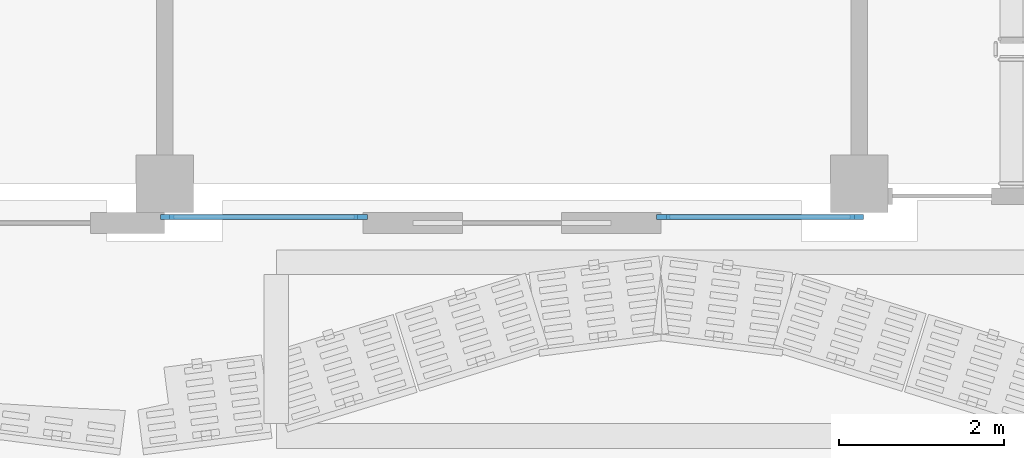
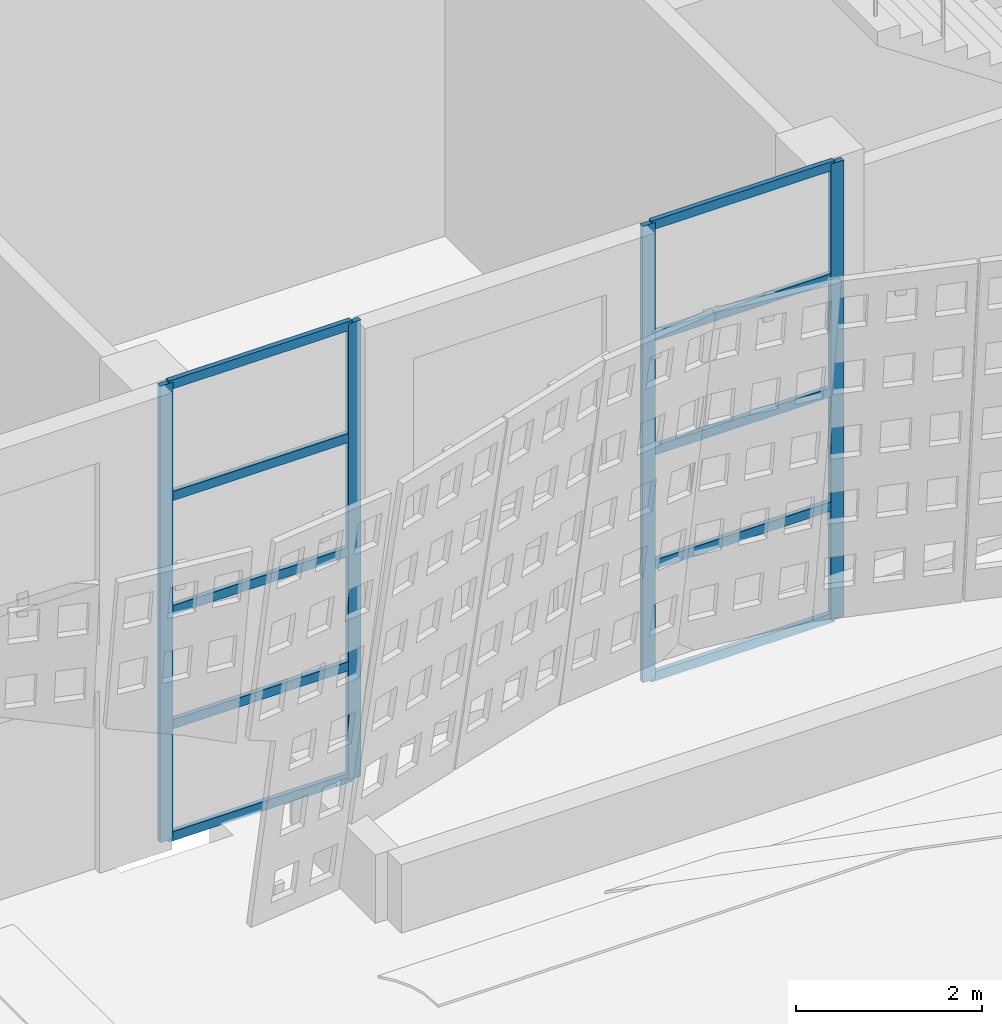
# One storey, part 37 of 210: 14 members, 2 elements without a shape of their own.
"""IFC4 building model written with IfcOpenShell, lengths in metres."""

from ifc_helpers import new_model, si_unit, direction, frame, origin, origin_2d, place, context, subcontext, project, spatial, rectangle, extrude, material, layer, layer_set, material_profile, profile_set, type_object, element, aggregate, save


model = new_model("IFC4")

# Units and contexts
model_context = context("Model", 3, precision=1e-05, world=origin(), true_north=direction((0.0, 1.0)))
body_context = subcontext(model_context, "Body", "Model", "MODEL_VIEW")
ifc_project = project(units=[si_unit("LENGTHUNIT", "METRE"), si_unit("AREAUNIT", "SQUARE_METRE"), si_unit("VOLUMEUNIT", "CUBIC_METRE"), si_unit("PLANEANGLEUNIT", "RADIAN"), si_unit("MASSUNIT", "GRAM", prefix="KILO")], contexts=[model_context])

# Site, building, storey
site_placement = place(None, origin())
site = spatial("IfcSite", under=ifc_project, at=site_placement, CompositionType="ELEMENT")
building_placement = place(site_placement, origin())
building = spatial("IfcBuilding", under=site, at=building_placement, Name="Rain Tree Exposition and Congress Centre", CompositionType="ELEMENT")
storey_placement = place(building_placement, origin())
storey = spatial("IfcBuildingStorey", under=building, at=storey_placement, Name="L00", CompositionType="ELEMENT", Elevation=0.0)

# Curtain wall, members
ifc_material_1 = material(Name="Aluminium curtain wall system", Category="aluminium")
ifc_layer = layer(ifc_material_1, 0.10009765625)
ifc_layer_set = layer_set([ifc_layer], Name="Aluminium curtain wall system")
curtain_wall_type = type_object("IfcCurtainWallType", Name="Concourse curtain wall 4200 module", PredefinedType="NOTDEFINED", material=ifc_layer_set)
curtain_wall_1_placement = place(storey_placement, origin())
curtain_wall_1 = element("IfcCurtainWall", 1, at=curtain_wall_1_placement, inside=storey, type_object=curtain_wall_type, Name="Concourse curtain wall CWC08", PredefinedType="NOTDEFINED")
ifc_material_2 = material(Name="Aluminium mullion", Category="aluminium")
ifc_material_profile_1 = material_profile(ifc_material_2, rectangle(XDim=0.06005859375, YDim=0.159912109375, at=origin_2d()), Name="AL 60x160")
ifc_profile_set_1 = profile_set([ifc_material_profile_1], Name="Aluminium mullion")
member_type_1 = type_object("IfcMemberType", Name="Concourse curtain wall mullion 60x160", PredefinedType="MULLION", material=ifc_profile_set_1)
member_1_placement = place(storey_placement, frame((109.22998046875, 75.199951171875, 0.0), z_axis=(0.0, 0.0, 1.0), x_axis=(0.0, 1.0, 0.0)))
member_1 = element("IfcMember", 2, at=member_1_placement, type_object=member_type_1, Name="CWC08 mullion 1", PredefinedType="MULLION", context=body_context, shape_type="SweptSolid", body=[
    extrude(rectangle(XDim=0.06005859375, YDim=0.159912109375, at=origin_2d()), origin(), (0.0, 0.0, 1.0), 6.0),
])
member_2_placement = place(storey_placement, frame((111.570068359375, 75.199951171875, 0.0), z_axis=(0.0, 0.0, 1.0), x_axis=(0.0, 1.0, 0.0)))
member_2 = element("IfcMember", 3, at=member_2_placement, type_object=member_type_1, Name="CWC08 mullion 2", PredefinedType="MULLION", context=body_context, shape_type="SweptSolid", body=[
    extrude(rectangle(XDim=0.06005859375, YDim=0.159912109375, at=origin_2d()), origin(), (0.0, 0.0, 1.0), 6.0),
])

curtain_wall_2_placement = place(storey_placement, origin())
curtain_wall_2 = element("IfcCurtainWall", 4, at=curtain_wall_2_placement, inside=storey, type_object=curtain_wall_type, Name="Concourse curtain wall CWC09", PredefinedType="NOTDEFINED")
member_3_placement = place(storey_placement, frame((115.22998046875, 75.199951171875, 0.0), z_axis=(0.0, 0.0, 1.0), x_axis=(0.0, 1.0, 0.0)))
member_3 = element("IfcMember", 5, at=member_3_placement, type_object=member_type_1, Name="CWC09 mullion 1", PredefinedType="MULLION", context=body_context, shape_type="SweptSolid", body=[
    extrude(rectangle(XDim=0.06005859375, YDim=0.159912109375, at=origin_2d()), origin(), (0.0, 0.0, 1.0), 6.0),
])
member_4_placement = place(storey_placement, frame((117.570068359375, 75.199951171875, 0.0), z_axis=(0.0, 0.0, 1.0), x_axis=(0.0, 1.0, 0.0)))
member_4 = element("IfcMember", 6, at=member_4_placement, type_object=member_type_1, Name="CWC09 mullion 2", PredefinedType="MULLION", context=body_context, shape_type="SweptSolid", body=[
    extrude(rectangle(XDim=0.06005859375, YDim=0.159912109375, at=origin_2d()), origin(), (0.0, 0.0, 1.0), 6.0),
])

# Member
ifc_material_3 = material(Name="Aluminium transom", Category="aluminium")
ifc_material_profile_2 = material_profile(ifc_material_3, rectangle(XDim=0.06005859375, YDim=0.1201171875, at=origin_2d()), Name="AL 60x120")
ifc_profile_set_2 = profile_set([ifc_material_profile_2], Name="Aluminium transom")
member_type_2 = type_object("IfcMemberType", Name="Concourse curtain wall transom 60x120", PredefinedType="USERDEFINED", material=ifc_profile_set_2)
member_5_placement = place(storey_placement, frame((109.260009765625, 75.199951171875, 0.030029296875), z_axis=(1.0, 0.0, 0.0), x_axis=(0.0, 1.0, 0.0)))
member_5 = element("IfcMember", 7, at=member_5_placement, type_object=member_type_2, Name="CWC08 transom 1.1", ObjectType="TRANSOM", PredefinedType="USERDEFINED", context=body_context, shape_type="SweptSolid", body=[
    extrude(rectangle(XDim=0.06005859375, YDim=0.1201171875, at=origin_2d()), origin(), (0.0, 0.0, 1.0), 2.280029296875),
])

member_6_placement = place(storey_placement, frame((109.260009765625, 75.199951171875, 1.5), z_axis=(1.0, 0.0, 0.0), x_axis=(0.0, 1.0, 0.0)))
member_6 = element("IfcMember", 8, at=member_6_placement, type_object=member_type_2, Name="CWC08 transom 1.2", ObjectType="TRANSOM", PredefinedType="USERDEFINED", context=body_context, shape_type="SweptSolid", body=[
    extrude(rectangle(XDim=0.06005859375, YDim=0.1201171875, at=origin_2d()), origin(), (0.0, 0.0, 1.0), 2.280029296875),
])

member_7_placement = place(storey_placement, frame((109.260009765625, 75.199951171875, 3.0), z_axis=(1.0, 0.0, 0.0), x_axis=(0.0, 1.0, 0.0)))
member_7 = element("IfcMember", 9, at=member_7_placement, type_object=member_type_2, Name="CWC08 transom 1.3", ObjectType="TRANSOM", PredefinedType="USERDEFINED", context=body_context, shape_type="SweptSolid", body=[
    extrude(rectangle(XDim=0.06005859375, YDim=0.1201171875, at=origin_2d()), origin(), (0.0, 0.0, 1.0), 2.280029296875),
])

member_8_placement = place(storey_placement, frame((109.260009765625, 75.199951171875, 4.5), z_axis=(1.0, 0.0, 0.0), x_axis=(0.0, 1.0, 0.0)))
member_8 = element("IfcMember", 10, at=member_8_placement, type_object=member_type_2, Name="CWC08 transom 1.4", ObjectType="TRANSOM", PredefinedType="USERDEFINED", context=body_context, shape_type="SweptSolid", body=[
    extrude(rectangle(XDim=0.06005859375, YDim=0.1201171875, at=origin_2d()), origin(), (0.0, 0.0, 1.0), 2.280029296875),
])

member_9_placement = place(storey_placement, frame((109.260009765625, 75.199951171875, 5.969970703125), z_axis=(1.0, 0.0, 0.0), x_axis=(0.0, 1.0, 0.0)))
member_9 = element("IfcMember", 11, at=member_9_placement, type_object=member_type_2, Name="CWC08 transom 1.5", ObjectType="TRANSOM", PredefinedType="USERDEFINED", context=body_context, shape_type="SweptSolid", body=[
    extrude(rectangle(XDim=0.06005859375, YDim=0.1201171875, at=origin_2d()), origin(), (0.0, 0.0, 1.0), 2.280029296875),
])

aggregate(curtain_wall_1, [member_1, member_2, member_5, member_6, member_7, member_8, member_9])

member_10_placement = place(storey_placement, frame((115.260009765625, 75.199951171875, 0.030029296875), z_axis=(1.0, 0.0, 0.0), x_axis=(0.0, 1.0, 0.0)))
member_10 = element("IfcMember", 12, at=member_10_placement, type_object=member_type_2, Name="CWC09 transom 1.1", ObjectType="TRANSOM", PredefinedType="USERDEFINED", context=body_context, shape_type="SweptSolid", body=[
    extrude(rectangle(XDim=0.06005859375, YDim=0.1201171875, at=origin_2d()), origin(), (0.0, 0.0, 1.0), 2.280029296875),
])

member_11_placement = place(storey_placement, frame((115.260009765625, 75.199951171875, 1.5), z_axis=(1.0, 0.0, 0.0), x_axis=(0.0, 1.0, 0.0)))
member_11 = element("IfcMember", 13, at=member_11_placement, type_object=member_type_2, Name="CWC09 transom 1.2", ObjectType="TRANSOM", PredefinedType="USERDEFINED", context=body_context, shape_type="SweptSolid", body=[
    extrude(rectangle(XDim=0.06005859375, YDim=0.1201171875, at=origin_2d()), origin(), (0.0, 0.0, 1.0), 2.280029296875),
])

member_12_placement = place(storey_placement, frame((115.260009765625, 75.199951171875, 3.0), z_axis=(1.0, 0.0, 0.0), x_axis=(0.0, 1.0, 0.0)))
member_12 = element("IfcMember", 14, at=member_12_placement, type_object=member_type_2, Name="CWC09 transom 1.3", ObjectType="TRANSOM", PredefinedType="USERDEFINED", context=body_context, shape_type="SweptSolid", body=[
    extrude(rectangle(XDim=0.06005859375, YDim=0.1201171875, at=origin_2d()), origin(), (0.0, 0.0, 1.0), 2.280029296875),
])

member_13_placement = place(storey_placement, frame((115.260009765625, 75.199951171875, 4.5), z_axis=(1.0, 0.0, 0.0), x_axis=(0.0, 1.0, 0.0)))
member_13 = element("IfcMember", 15, at=member_13_placement, type_object=member_type_2, Name="CWC09 transom 1.4", ObjectType="TRANSOM", PredefinedType="USERDEFINED", context=body_context, shape_type="SweptSolid", body=[
    extrude(rectangle(XDim=0.06005859375, YDim=0.1201171875, at=origin_2d()), origin(), (0.0, 0.0, 1.0), 2.280029296875),
])

member_14_placement = place(storey_placement, frame((115.260009765625, 75.199951171875, 5.969970703125), z_axis=(1.0, 0.0, 0.0), x_axis=(0.0, 1.0, 0.0)))
member_14 = element("IfcMember", 16, at=member_14_placement, type_object=member_type_2, Name="CWC09 transom 1.5", ObjectType="TRANSOM", PredefinedType="USERDEFINED", context=body_context, shape_type="SweptSolid", body=[
    extrude(rectangle(XDim=0.06005859375, YDim=0.1201171875, at=origin_2d()), origin(), (0.0, 0.0, 1.0), 2.280029296875),
])

aggregate(curtain_wall_2, [member_3, member_4, member_10, member_11, member_12, member_13, member_14])

save(model, "model.ifc")
